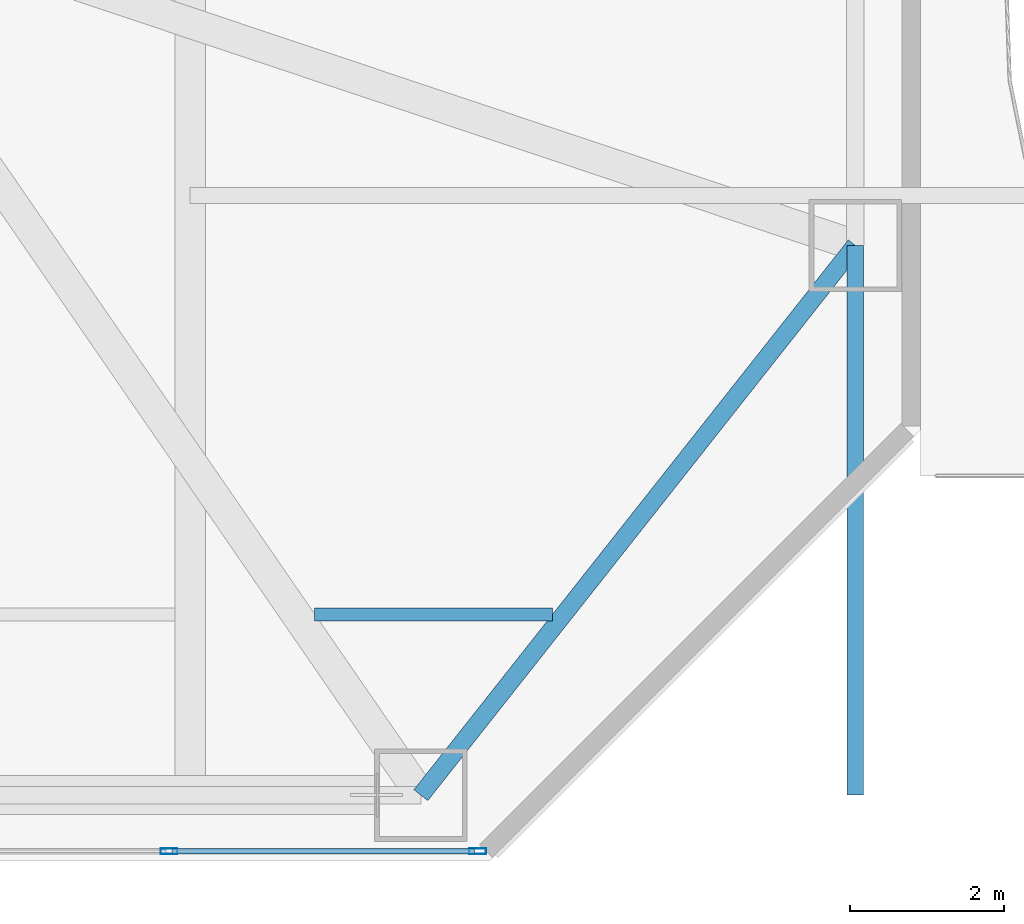
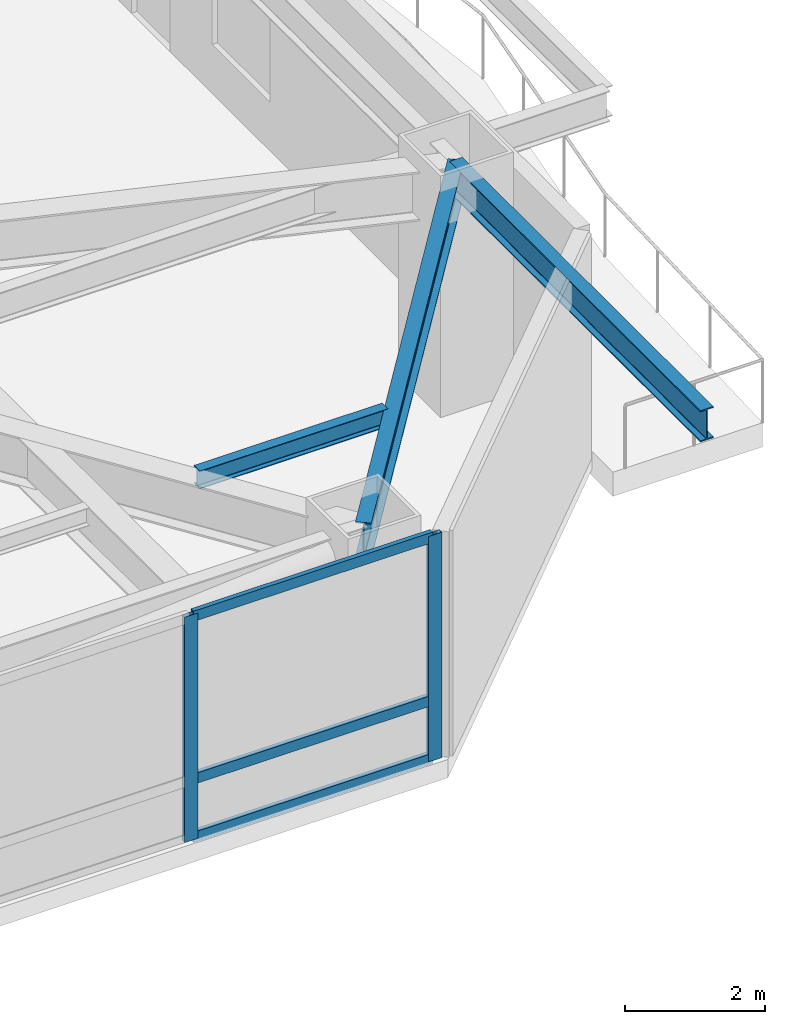
# One storey, part 8 of 32: 5 members, 3 beams, 1 element without a shape of its own.
"""IFC4 building model written with IfcOpenShell, lengths in metres."""

from ifc_helpers import new_model, si_unit, direction, frame, origin, origin_2d, place, context, subcontext, project, spatial, hollow_rectangle, i_section, extrude, material, material_profile, profile_set, type_object, element, aggregate, save


model = new_model("IFC4")

# Units and contexts
model_context = context("Model", 3, precision=1e-05, world=origin(), true_north=direction((0.0, 1.0)))
body_context = subcontext(model_context, "Body", "Model", "MODEL_VIEW")
ifc_project = project(units=[si_unit("LENGTHUNIT", "METRE"), si_unit("AREAUNIT", "SQUARE_METRE"), si_unit("VOLUMEUNIT", "CUBIC_METRE"), si_unit("PLANEANGLEUNIT", "RADIAN"), si_unit("MASSUNIT", "GRAM", prefix="KILO")], contexts=[model_context])

# Site, building, storey
site_placement = place(None, origin())
site = spatial("IfcSite", under=ifc_project, at=site_placement, CompositionType="ELEMENT")
building_placement = place(site_placement, origin())
building = spatial("IfcBuilding", under=site, at=building_placement, Name="Khamvora Tower", CompositionType="ELEMENT")
storey_placement = place(building_placement, frame((0.0, 0.0, 12.0)))
storey = spatial("IfcBuildingStorey", under=building, at=storey_placement, Name="L02", CompositionType="ELEMENT", Elevation=12.0)

# Beams
ifc_material_1 = material(Name="Steel S355", Category="steel")
ifc_material_profile_1 = material_profile(ifc_material_1, i_section(OverallWidth=0.166015625, OverallDepth=0.31298828125, WebThickness=0.007080078125, FlangeThickness=0.010986328125, FilletRadius=0.010009765625, at=origin_2d()), Name="W310x45")
ifc_profile_set_1 = profile_set([ifc_material_profile_1], Name="Steel S355")
beam_type_1 = type_object("IfcBeamType", Name="BM-JS-W310x45", PredefinedType="JOIST", material=ifc_profile_set_1)
beam_1_placement = place(storey_placement, frame((48.117919921875, 3.199951171875, 3.763916015625), z_axis=(1.0, 0.0, 0.0), x_axis=(0.0, 1.0, 0.0)))
element("IfcBeam", 1, at=beam_1_placement, inside=storey, type_object=beam_type_1, Name="L02 secondary floor joist 06", PredefinedType="JOIST", context=body_context, shape_type="SweptSolid", body=[
    extrude(i_section(OverallWidth=0.166015625, OverallDepth=0.31298828125, WebThickness=0.007080078125, FlangeThickness=0.010986328125, FilletRadius=0.010009765625, at=origin_2d()), origin(), (0.0, 0.0, 1.0), 3.09716796875),
])
ifc_material_profile_2 = material_profile(ifc_material_1, i_section(OverallWidth=0.2119140625, OverallDepth=0.5439453125, WebThickness=0.012939453125, FlangeThickness=0.02099609375, FilletRadius=0.013916015625, at=origin_2d()), Name="W530x123")
ifc_profile_set_2 = profile_set([ifc_material_profile_2], Name="Steel S355")
beam_type_2 = type_object("IfcBeamType", Name="BM-SP-W530x123", PredefinedType="SPANDREL", material=ifc_profile_set_2)
beam_2_placement = place(storey_placement, frame((55.14990234375, 0.85009765625, 3.64794921875), z_axis=(0.0, 1.0, 0.0), x_axis=(-1.0, 0.0, 0.0)))
element("IfcBeam", 2, at=beam_2_placement, inside=storey, type_object=beam_type_2, Name="L02 E perimeter edge spandrel 1", PredefinedType="SPANDREL", context=body_context, shape_type="SweptSolid", body=[
    extrude(i_section(OverallWidth=0.2119140625, OverallDepth=0.5439453125, WebThickness=0.012939453125, FlangeThickness=0.02099609375, FilletRadius=0.013916015625, at=origin_2d()), origin(), (0.0, 0.0, 1.0), 7.14990234375),
])
ifc_material_profile_3 = material_profile(ifc_material_1, i_section(OverallWidth=0.22998046875, OverallDepth=0.616943359375, WebThickness=0.012939453125, FlangeThickness=0.02197265625, FilletRadius=0.013916015625, at=origin_2d()), Name="W610x140")
ifc_profile_set_3 = profile_set([ifc_material_profile_3], Name="Steel S355")
beam_type_3 = type_object("IfcBeamType", Name="BM-SP-W610x140", PredefinedType="SPANDREL", material=ifc_profile_set_3)
beam_3_placement = place(storey_placement, frame((49.5, 0.85009765625, 3.611083984375), z_axis=(0.619998635429, 0.784602888133, 0.0), x_axis=(-0.784602888133, 0.619998635429, 0.0)))
element("IfcBeam", 3, at=beam_3_placement, inside=storey, type_object=beam_type_3, Name="L02 perimeter spandrel beam P04-P13", PredefinedType="SPANDREL", context=body_context, shape_type="SweptSolid", body=[
    extrude(i_section(OverallWidth=0.22998046875, OverallDepth=0.616943359375, WebThickness=0.012939453125, FlangeThickness=0.02197265625, FilletRadius=0.013916015625, at=origin_2d()), origin(), (0.0, 0.0, 1.0), 9.11279296875),
])

# Curtain wall, members
ifc_material_2 = material(Name="Anodised Aluminium 6063-T6", Category="aluminium")
curtain_wall_type = type_object("IfcCurtainWallType", Name="CW-SYS-01", PredefinedType="NOTDEFINED", material=ifc_material_2)
curtain_wall_placement = place(storey_placement, origin())
curtain_wall = element("IfcCurtainWall", 4, at=curtain_wall_placement, inside=storey, type_object=curtain_wall_type, Name="L02 stick curtain wall 14.1", PredefinedType="NOTDEFINED")
ifc_material_profile_4 = material_profile(ifc_material_2, hollow_rectangle(XDim=0.074951171875, YDim=0.219970703125, WallThickness=0.0048828125, at=origin_2d()), Name="MUL75x220x5")
ifc_profile_set_4 = profile_set([ifc_material_profile_4], Name="Anodised Aluminium 6063-T6")
member_type_1 = type_object("IfcMemberType", Name="CW-SYS-01-MUL", PredefinedType="MULLION", material=ifc_profile_set_4)
member_1_placement = place(storey_placement, frame((50.237548828125, 0.1201171875, 0.0), z_axis=(0.0, 0.0, 1.0), x_axis=(0.0, -1.0, 0.0)))
member_1 = element("IfcMember", 5, at=member_1_placement, type_object=member_type_1, Name="CW-01 mullion 1", PredefinedType="MULLION", context=body_context, shape_type="SweptSolid", body=[
    extrude(hollow_rectangle(XDim=0.074951171875, YDim=0.219970703125, WallThickness=0.0048828125, at=origin_2d()), origin(), (0.0, 0.0, 1.0), 3.919921875),
])
member_2_placement = place(storey_placement, frame((46.22509765625, 0.1201171875, 0.0), z_axis=(0.0, 0.0, 1.0), x_axis=(0.0, -1.0, 0.0)))
member_2 = element("IfcMember", 6, at=member_2_placement, type_object=member_type_1, Name="CW-01 mullion 2", PredefinedType="MULLION", context=body_context, shape_type="SweptSolid", body=[
    extrude(hollow_rectangle(XDim=0.074951171875, YDim=0.219970703125, WallThickness=0.0048828125, at=origin_2d()), origin(), (0.0, 0.0, 1.0), 3.919921875),
])
ifc_material_profile_5 = material_profile(ifc_material_2, hollow_rectangle(XDim=0.074951171875, YDim=0.179931640625, WallThickness=0.0048828125, at=origin_2d()), Name="TRN75x180x5")
ifc_profile_set_5 = profile_set([ifc_material_profile_5], Name="Anodised Aluminium 6063-T6")
member_type_2 = type_object("IfcMemberType", Name="CW-SYS-01-TRN", PredefinedType="USERDEFINED", material=ifc_profile_set_5)
member_3_placement = place(storey_placement, frame((50.199951171875, 0.1201171875, 0.03759765625), z_axis=(-1.0, 0.0, 0.0), x_axis=(0.0, -1.0, 0.0)))
member_3 = element("IfcMember", 7, at=member_3_placement, type_object=member_type_2, Name="CW-01 transom 1.1", ObjectType="TRANSOM", PredefinedType="USERDEFINED", context=body_context, shape_type="SweptSolid", body=[
    extrude(hollow_rectangle(XDim=0.074951171875, YDim=0.179931640625, WallThickness=0.0048828125, at=origin_2d()), origin(), (0.0, 0.0, 1.0), 3.9375),
])
member_4_placement = place(storey_placement, frame((50.199951171875, 0.1201171875, 1.050048828125), z_axis=(-1.0, 0.0, 0.0), x_axis=(0.0, -1.0, 0.0)))
member_4 = element("IfcMember", 8, at=member_4_placement, type_object=member_type_2, Name="CW-01 transom 1.2", ObjectType="TRANSOM", PredefinedType="USERDEFINED", context=body_context, shape_type="SweptSolid", body=[
    extrude(hollow_rectangle(XDim=0.074951171875, YDim=0.179931640625, WallThickness=0.0048828125, at=origin_2d()), origin(), (0.0, 0.0, 1.0), 3.9375),
])
member_5_placement = place(storey_placement, frame((50.199951171875, 0.1201171875, 3.882568359375), z_axis=(-1.0, 0.0, 0.0), x_axis=(0.0, -1.0, 0.0)))
member_5 = element("IfcMember", 9, at=member_5_placement, type_object=member_type_2, Name="CW-01 transom 1.3", ObjectType="TRANSOM", PredefinedType="USERDEFINED", context=body_context, shape_type="SweptSolid", body=[
    extrude(hollow_rectangle(XDim=0.074951171875, YDim=0.179931640625, WallThickness=0.0048828125, at=origin_2d()), origin(), (0.0, 0.0, 1.0), 3.9375),
])
aggregate(curtain_wall, [member_1, member_2, member_3, member_4, member_5])

save(model, "model.ifc")
